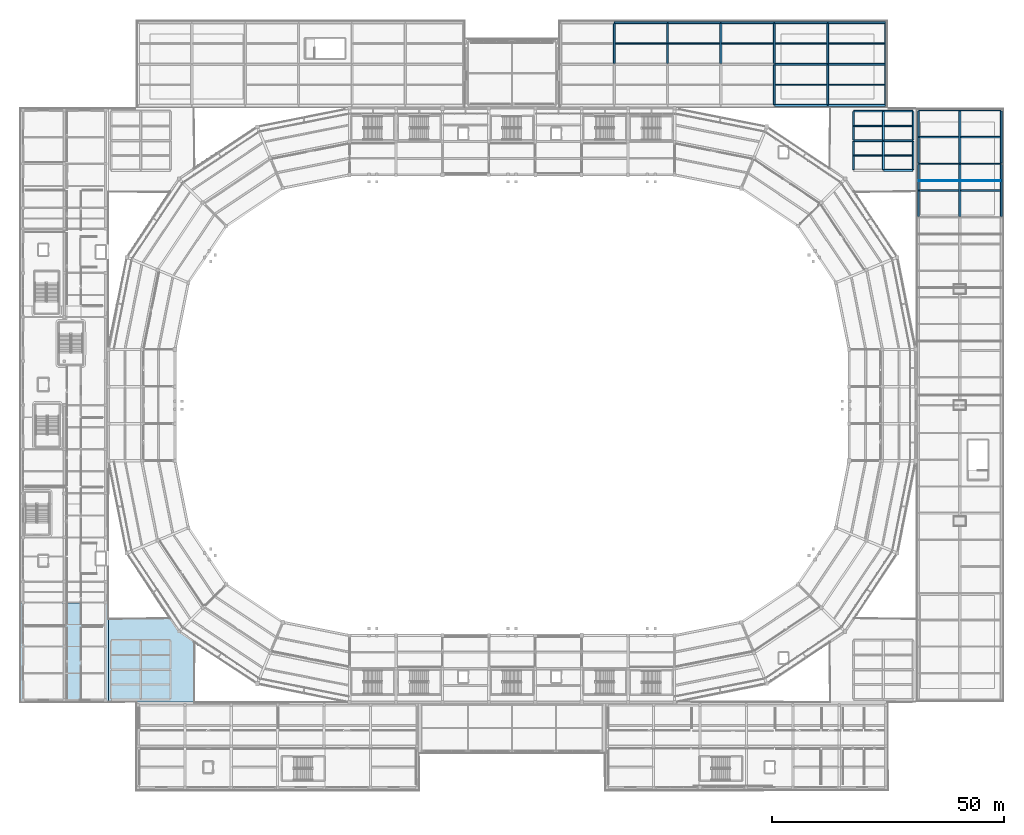
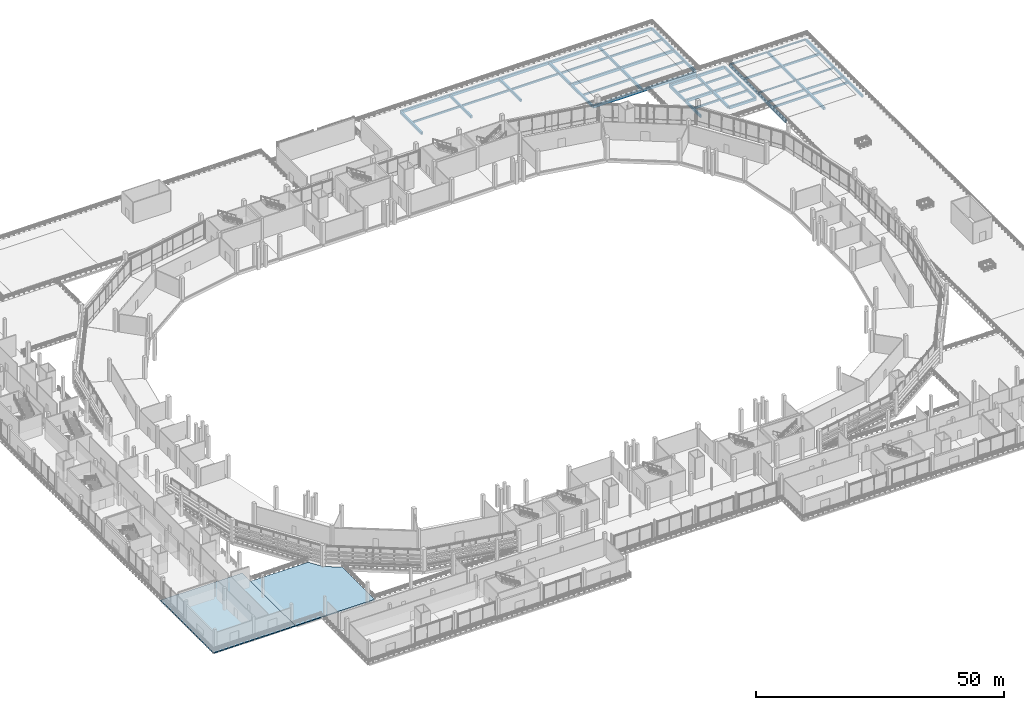
# One storey, part 58 of 111: 54 beams, 2 slabs, 1 member.
"""IFC4 building model written with IfcOpenShell, lengths in metres."""

from ifc_helpers import new_model, si_unit, direction, frame, origin, origin_2d, place, context, subcontext, project, spatial, polyline, rectangle, i_section, outline, extrude, material, layer, layer_set, material_profile, profile_set, type_object, element, save


model = new_model("IFC4")

# Units and contexts
model_context = context("Model", 3, precision=1e-05, world=origin(), true_north=direction((0.0, 1.0)))
body_context = subcontext(model_context, "Body", "Model", "MODEL_VIEW")
ifc_project = project(units=[si_unit("LENGTHUNIT", "METRE"), si_unit("AREAUNIT", "SQUARE_METRE"), si_unit("VOLUMEUNIT", "CUBIC_METRE"), si_unit("PLANEANGLEUNIT", "RADIAN"), si_unit("MASSUNIT", "GRAM", prefix="KILO")], contexts=[model_context])

# Site, building, storey
site_placement = place(None, origin())
site = spatial("IfcSite", under=ifc_project, at=site_placement, CompositionType="ELEMENT")
building_placement = place(site_placement, origin())
building = spatial("IfcBuilding", under=site, at=building_placement, Name="Candeia Ridge Stadium", CompositionType="ELEMENT")
storey_placement = place(building_placement, frame((0.0, 0.0, 16.199951171875)))
storey = spatial("IfcBuildingStorey", under=building, at=storey_placement, Name="L03", CompositionType="ELEMENT", Elevation=16.199951171875)

# Beams
ifc_material_1 = material(Name="Concrete C40/50", Category="concrete")
ifc_material_profile_1 = material_profile(ifc_material_1, rectangle(XDim=0.300048828125, YDim=0.449951171875, at=origin_2d()), Name="RC300x450", Category="concrete")
ifc_profile_set_1 = profile_set([ifc_material_profile_1], Name="Concrete C40/50")
beam_type_1 = type_object("IfcBeamType", Name="Floor Joist RC300x450", PredefinedType="JOIST", material=ifc_profile_set_1)
for number, where, z_axis, x_axis, name in (
    (1, (128.199462890625, 160.949951171875, -0.5048828125), (1.0, 0.0, 0.0), (0.0, 1.0, 0.0), "Wing secondary joist BM-L03-1916"),
    (2, (139.699462890625, 160.949951171875, -0.5048828125), (1.0, 0.0, 0.0), (0.0, 1.0, 0.0), "Wing secondary joist BM-L03-1921"),
    (3, (151.199462890625, 160.949951171875, -0.5048828125), (1.0, 0.0, 0.0), (0.0, 1.0, 0.0), "Wing secondary joist BM-L03-1926"),
    (4, (162.699462890625, 152.050048828125, -0.5048828125), (1.0, 0.0, 0.0), (0.0, 1.0, 0.0), "Wing secondary joist BM-L03-1929"),
    (5, (162.699462890625, 160.949951171875, -0.5048828125), (1.0, 0.0, 0.0), (0.0, 1.0, 0.0), "Wing secondary joist BM-L03-1931"),
):
    element("IfcBeam", number, at=place(storey_placement, frame(where, z_axis=z_axis, x_axis=x_axis)), inside=storey, type_object=beam_type_1, Name=name, PredefinedType="JOIST", context=body_context, shape_type="SweptSolid", body=[
        extrude(rectangle(XDim=0.300048828125, YDim=0.449951171875, at=origin_2d()), origin(), (0.0, 0.0, 1.0), 11.10107421875),
    ])
for number, where, z_axis, x_axis, name in (
    (6, (174.199462890625, 152.050048828125, -0.5048828125), (1.0, 0.0, 0.0), (0.0, 1.0, 0.0), "Wing secondary joist BM-L03-1934"),
    (7, (174.199462890625, 160.949951171875, -0.5048828125), (1.0, 0.0, 0.0), (0.0, 1.0, 0.0), "Wing secondary joist BM-L03-1936"),
):
    element("IfcBeam", number, at=place(storey_placement, frame(where, z_axis=z_axis, x_axis=x_axis)), inside=storey, type_object=beam_type_1, Name=name, PredefinedType="JOIST", context=body_context, shape_type="SweptSolid", body=[
        extrude(rectangle(XDim=0.300048828125, YDim=0.449951171875, at=origin_2d()), origin(), (0.0, 0.0, 1.0), 12.1259765625),
    ])
for number, where, z_axis, x_axis, name in (
    (8, (179.7744140625, 136.800048828125, -0.474853515625), (1.0, 0.0, 0.0), (0.0, 1.0, 0.0), "Wing secondary joist BM-L03-2439"),
    (9, (179.7744140625, 143.199951171875, -0.474853515625), (1.0, 0.0, 0.0), (0.0, 1.0, 0.0), "Wing secondary joist BM-L03-2441"),
    (10, (186.199462890625, 136.800048828125, -0.474853515625), (1.0, 0.0, 0.0), (0.0, 1.0, 0.0), "Wing secondary joist BM-L03-2444"),
    (11, (186.199462890625, 143.199951171875, -0.474853515625), (1.0, 0.0, 0.0), (0.0, 1.0, 0.0), "Wing secondary joist BM-L03-2446"),
):
    element("IfcBeam", number, at=place(storey_placement, frame(where, z_axis=z_axis, x_axis=x_axis)), inside=storey, type_object=beam_type_1, Name=name, PredefinedType="JOIST", context=body_context, shape_type="SweptSolid", body=[
        extrude(rectangle(XDim=0.300048828125, YDim=0.449951171875, at=origin_2d()), origin(), (0.0, 0.0, 1.0), 6.026123046875),
    ])
ifc_material_profile_2 = material_profile(ifc_material_1, rectangle(XDim=0.300048828125, YDim=0.5, at=origin_2d()), Name="RC300x500", Category="concrete")
ifc_profile_set_2 = profile_set([ifc_material_profile_2], Name="Concrete C40/50")
beam_type_2 = type_object("IfcBeamType", Name="Floor Joist RC300x500", PredefinedType="JOIST", material=ifc_profile_set_2)
for number, where, z_axis, x_axis, name in (
    (12, (193.7744140625, 129.25, -0.530029296875), (1.0, 0.0, 0.0), (0.0, 1.0, 0.0), "Wing secondary joist BM-L03-1826"),
    (13, (193.7744140625, 140.75, -0.530029296875), (1.0, 0.0, 0.0), (0.0, 1.0, 0.0), "Wing secondary joist BM-L03-1828"),
    (14, (202.699462890625, 129.25, -0.530029296875), (1.0, 0.0, 0.0), (0.0, 1.0, 0.0), "Wing secondary joist BM-L03-1848"),
    (15, (202.699462890625, 140.75, -0.530029296875), (1.0, 0.0, 0.0), (0.0, 1.0, 0.0), "Wing secondary joist BM-L03-1850"),
):
    element("IfcBeam", number, at=place(storey_placement, frame(where, z_axis=z_axis, x_axis=x_axis)), inside=storey, type_object=beam_type_2, Name=name, PredefinedType="JOIST", context=body_context, shape_type="SweptSolid", body=[
        extrude(rectangle(XDim=0.300048828125, YDim=0.5, at=origin_2d()), origin(), (0.0, 0.0, 1.0), 8.526123046875),
    ])
ifc_material_profile_3 = material_profile(ifc_material_1, rectangle(XDim=0.39990234375, YDim=0.60009765625, at=origin_2d()), Name="RC400x600", Category="concrete")
ifc_profile_set_3 = profile_set([ifc_material_profile_3], Name="Concrete C40/50")
beam_type_3 = type_object("IfcBeamType", Name="Frame Girder RC400x600", PredefinedType="BEAM", material=ifc_profile_set_3)
for number, where, z_axis, x_axis, name in (
    (16, (202.5, 123.659912109375, -0.579833984375), (0.0, 1.0, 0.0), (-1.0, 0.0, 0.0), "Structural girder BM-L03-1796"),
    (17, (202.5, 135.159912109375, -0.579833984375), (0.0, 1.0, 0.0), (-1.0, 0.0, 0.0), "Structural girder BM-L03-1797"),
):
    element("IfcBeam", number, at=place(storey_placement, frame(where, z_axis=z_axis, x_axis=x_axis)), inside=storey, type_object=beam_type_3, Name=name, PredefinedType="BEAM", context=body_context, shape_type="SweptSolid", body=[
        extrude(rectangle(XDim=0.39990234375, YDim=0.60009765625, at=origin_2d()), origin(), (0.0, 0.0, 1.0), 11.18017578125),
    ])
for number, where, z_axis, x_axis, name in (
    (18, (128.0, 156.659912109375, -0.579833984375), (0.0, 1.0, 0.0), (-1.0, 0.0, 0.0), "Structural girder BM-L03-1897"),
    (19, (139.5, 156.659912109375, -0.579833984375), (0.0, 1.0, 0.0), (-1.0, 0.0, 0.0), "Structural girder BM-L03-1899"),
    (20, (151.0, 156.659912109375, -0.579833984375), (0.0, 1.0, 0.0), (-1.0, 0.0, 0.0), "Structural girder BM-L03-1901"),
    (21, (162.5, 147.760009765625, -0.579833984375), (0.0, 1.0, 0.0), (-1.0, 0.0, 0.0), "Structural girder BM-L03-1902"),
    (22, (162.5, 156.659912109375, -0.579833984375), (0.0, 1.0, 0.0), (-1.0, 0.0, 0.0), "Structural girder BM-L03-1903"),
    (23, (174.0, 147.760009765625, -0.579833984375), (0.0, 1.0, 0.0), (-1.0, 0.0, 0.0), "Structural girder BM-L03-1904"),
    (24, (174.0, 156.659912109375, -0.579833984375), (0.0, 1.0, 0.0), (-1.0, 0.0, 0.0), "Structural girder BM-L03-1905"),
):
    element("IfcBeam", number, at=place(storey_placement, frame(where, z_axis=z_axis, x_axis=x_axis)), inside=storey, type_object=beam_type_3, Name=name, PredefinedType="BEAM", context=body_context, shape_type="SweptSolid", body=[
        extrude(rectangle(XDim=0.39990234375, YDim=0.60009765625, at=origin_2d()), origin(), (0.0, 0.0, 1.0), 8.580078125),
    ])
for number, where, z_axis, x_axis, name in (
    (25, (186.0, 133.760009765625, -0.550048828125), (0.0, 1.0, 0.0), (-1.0, 0.0, 0.0), "Structural girder BM-L03-2434"),
    (26, (186.0, 140.159912109375, -0.579833984375), (0.0, 1.0, 0.0), (-1.0, 0.0, 0.0), "Structural girder BM-L03-2435"),
):
    element("IfcBeam", number, at=place(storey_placement, frame(where, z_axis=z_axis, x_axis=x_axis)), inside=storey, type_object=beam_type_3, Name=name, PredefinedType="BEAM", context=body_context, shape_type="SweptSolid", body=[
        extrude(rectangle(XDim=0.39990234375, YDim=0.60009765625, at=origin_2d()), origin(), (0.0, 0.0, 1.0), 6.080078125),
    ])
ifc_material_profile_4 = material_profile(ifc_material_1, rectangle(XDim=0.35009765625, YDim=0.64990234375, at=origin_2d()), Name="RC350x650", Category="concrete")
ifc_profile_set_4 = profile_set([ifc_material_profile_4], Name="Concrete C40/50")
beam_type_4 = type_object("IfcBeamType", Name="Spandrel Beam RC350x650", PredefinedType="SPANDREL", material=ifc_profile_set_4)
for number, where, z_axis, x_axis, name in (
    (27, (193.60009765625, 123.659912109375, -0.60498046875), (0.0, 1.0, 0.0), (-1.0, 0.0, 0.0), "Structural girder BM-L03-1785"),
    (28, (193.60009765625, 135.159912109375, -0.60498046875), (0.0, 1.0, 0.0), (-1.0, 0.0, 0.0), "Structural girder BM-L03-1786"),
    (29, (211.39990234375, 123.659912109375, -0.60498046875), (0.0, 1.0, 0.0), (-1.0, 0.0, 0.0), "Structural girder BM-L03-1807"),
    (30, (211.39990234375, 135.159912109375, -0.60498046875), (0.0, 1.0, 0.0), (-1.0, 0.0, 0.0), "Structural girder BM-L03-1808"),
):
    element("IfcBeam", number, at=place(storey_placement, frame(where, z_axis=z_axis, x_axis=x_axis)), inside=storey, type_object=beam_type_4, Name=name, PredefinedType="SPANDREL", context=body_context, shape_type="SweptSolid", body=[
        extrude(rectangle(XDim=0.35009765625, YDim=0.64990234375, at=origin_2d()), origin(), (0.0, 0.0, 1.0), 11.18017578125),
    ])
for number, where, z_axis, x_axis, name in (
    (31, (186.5, 147.760009765625, -0.60498046875), (0.0, 1.0, 0.0), (-1.0, 0.0, 0.0), "Structural girder BM-L03-1906"),
    (32, (186.5, 156.659912109375, -0.60498046875), (0.0, 1.0, 0.0), (-1.0, 0.0, 0.0), "Structural girder BM-L03-1907"),
):
    element("IfcBeam", number, at=place(storey_placement, frame(where, z_axis=z_axis, x_axis=x_axis)), inside=storey, type_object=beam_type_4, Name=name, PredefinedType="SPANDREL", context=body_context, shape_type="SweptSolid", body=[
        extrude(rectangle(XDim=0.35009765625, YDim=0.64990234375, at=origin_2d()), origin(), (0.0, 0.0, 1.0), 8.580078125),
    ])
for number, where, z_axis, x_axis, name in (
    (33, (179.60009765625, 133.760009765625, -0.574951171875), (0.0, 1.0, 0.0), (-1.0, 0.0, 0.0), "Structural girder BM-L03-2432"),
    (34, (179.60009765625, 140.159912109375, -0.60498046875), (0.0, 1.0, 0.0), (-1.0, 0.0, 0.0), "Structural girder BM-L03-2433"),
    (35, (192.39990234375, 133.760009765625, -0.60498046875), (0.0, 1.0, 0.0), (-1.0, 0.0, 0.0), "Structural girder BM-L03-2436"),
    (36, (192.39990234375, 140.159912109375, -0.60498046875), (0.0, 1.0, 0.0), (-1.0, 0.0, 0.0), "Structural girder BM-L03-2437"),
):
    element("IfcBeam", number, at=place(storey_placement, frame(where, z_axis=z_axis, x_axis=x_axis)), inside=storey, type_object=beam_type_4, Name=name, PredefinedType="SPANDREL", context=body_context, shape_type="SweptSolid", body=[
        extrude(rectangle(XDim=0.35009765625, YDim=0.64990234375, at=origin_2d()), origin(), (0.0, 0.0, 1.0), 6.080078125),
    ])
ifc_material_2 = material(Name="Steel ASTM A572 Grade 50", Category="steel")
ifc_material_profile_5 = material_profile(ifc_material_2, i_section(OverallWidth=0.178955078125, OverallDepth=0.409912109375, WebThickness=0.0087890625, FlangeThickness=0.014404296875, FilletRadius=0.011962890625, at=origin_2d()), Name="W410x67", Category="steel")
ifc_profile_set_5 = profile_set([ifc_material_profile_5], Name="Steel ASTM A572 Grade 50")
beam_type_5 = type_object("IfcBeamType", Name="Warm-Up Hall Girder W410x67", PredefinedType="BEAM", material=ifc_profile_set_5)
for number, where, z_axis, x_axis, name in (
    (37, (193.64990234375, 135.0, -0.48486328125), (1.0, 0.0, 0.0), (0.0, 1.0, 0.0), "Structural girder BM-L03-1827"),
    (38, (193.64990234375, 146.5, -0.48486328125), (1.0, 0.0, 0.0), (0.0, 1.0, 0.0), "Structural girder BM-L03-1829"),
    (39, (202.550048828125, 135.0, -0.48486328125), (1.0, 0.0, 0.0), (0.0, 1.0, 0.0), "Structural girder BM-L03-1849"),
    (40, (202.550048828125, 146.5, -0.48486328125), (1.0, 0.0, 0.0), (0.0, 1.0, 0.0), "Structural girder BM-L03-1851"),
):
    element("IfcBeam", number, at=place(storey_placement, frame(where, z_axis=z_axis, x_axis=x_axis)), inside=storey, type_object=beam_type_5, Name=name, PredefinedType="BEAM", context=body_context, shape_type="SweptSolid", body=[
        extrude(i_section(OverallWidth=0.178955078125, OverallDepth=0.409912109375, WebThickness=0.0087890625, FlangeThickness=0.014404296875, FilletRadius=0.011962890625, at=origin_2d()), origin(), (0.0, 0.0, 1.0), 8.800048828125),
    ])

# Member
ifc_material_3 = material(Name="Glulam GL28h", Category="wood")
ifc_material_profile_6 = material_profile(ifc_material_3, rectangle(XDim=0.199951171875, YDim=0.52001953125, at=origin_2d()), Name="GL200x520", Category="wood")
ifc_profile_set_6 = profile_set([ifc_material_profile_6], Name="Glulam GL28h")
member_type = type_object("IfcMemberType", Name="Warm-Up Hall Glulam Rafter GL200x520", PredefinedType="RAFTER", material=ifc_profile_set_6)
member_placement = place(storey_placement, frame((193.64990234375, 131.320068359375, -0.5400390625), z_axis=(1.0, 0.0, 0.0), x_axis=(0.0, 1.0, 0.0)))
element("IfcMember", 41, at=member_placement, inside=storey, type_object=member_type, Name="Warm-up hall glulam roof rafter RAF-WU-11", PredefinedType="RAFTER", context=body_context, shape_type="SweptSolid", body=[
    extrude(rectangle(XDim=0.199951171875, YDim=0.52001953125, at=origin_2d()), origin(), (0.0, 0.0, 1.0), 17.7001953125),
])

# Beams
ifc_material_profile_7 = material_profile(ifc_material_1, rectangle(XDim=0.39990234375, YDim=0.64990234375, at=origin_2d()), Name="RC400x650", Category="concrete")
ifc_profile_set_7 = profile_set([ifc_material_profile_7], Name="Concrete C40/50")
beam_type_6 = type_object("IfcBeamType", Name="Wing Primary Girder RC400x650", PredefinedType="BEAM", material=ifc_profile_set_7)
for number, where, z_axis, x_axis, name in (
    (42, (128.050048828125, 165.39990234375, -0.60498046875), (1.0, 0.0, 0.0), (0.0, 1.0, 0.0), "Structural girder BM-L03-1917"),
    (43, (139.550048828125, 165.39990234375, -0.60498046875), (1.0, 0.0, 0.0), (0.0, 1.0, 0.0), "Structural girder BM-L03-1922"),
    (44, (151.050048828125, 165.39990234375, -0.60498046875), (1.0, 0.0, 0.0), (0.0, 1.0, 0.0), "Structural girder BM-L03-1927"),
    (45, (162.550048828125, 147.60009765625, -0.60498046875), (1.0, 0.0, 0.0), (0.0, 1.0, 0.0), "Structural girder BM-L03-1928"),
    (46, (162.550048828125, 156.5, -0.60498046875), (1.0, 0.0, 0.0), (0.0, 1.0, 0.0), "Structural girder BM-L03-1930"),
    (47, (162.550048828125, 165.39990234375, -0.60498046875), (1.0, 0.0, 0.0), (0.0, 1.0, 0.0), "Structural girder BM-L03-1932"),
):
    element("IfcBeam", number, at=place(storey_placement, frame(where, z_axis=z_axis, x_axis=x_axis)), inside=storey, type_object=beam_type_6, Name=name, PredefinedType="BEAM", context=body_context, shape_type="SweptSolid", body=[
        extrude(rectangle(XDim=0.39990234375, YDim=0.64990234375, at=origin_2d()), origin(), (0.0, 0.0, 1.0), 11.39990234375),
    ])
for number, where, z_axis, x_axis, name in (
    (48, (174.050048828125, 147.60009765625, -0.60498046875), (1.0, 0.0, 0.0), (0.0, 1.0, 0.0), "Structural girder BM-L03-1933"),
    (49, (174.050048828125, 156.5, -0.60498046875), (1.0, 0.0, 0.0), (0.0, 1.0, 0.0), "Structural girder BM-L03-1935"),
    (50, (174.050048828125, 165.39990234375, -0.60498046875), (1.0, 0.0, 0.0), (0.0, 1.0, 0.0), "Structural girder BM-L03-1937"),
):
    element("IfcBeam", number, at=place(storey_placement, frame(where, z_axis=z_axis, x_axis=x_axis)), inside=storey, type_object=beam_type_6, Name=name, PredefinedType="BEAM", context=body_context, shape_type="SweptSolid", body=[
        extrude(rectangle(XDim=0.39990234375, YDim=0.64990234375, at=origin_2d()), origin(), (0.0, 0.0, 1.0), 12.39990234375),
    ])
for number, where, z_axis, x_axis, name in (
    (51, (179.64990234375, 140.0, -0.574951171875), (1.0, 0.0, 0.0), (0.0, 1.0, 0.0), "Structural girder BM-L03-2440"),
    (52, (179.64990234375, 146.39990234375, -0.60498046875), (1.0, 0.0, 0.0), (0.0, 1.0, 0.0), "Structural girder BM-L03-2442"),
    (53, (186.050048828125, 133.60009765625, -0.60498046875), (1.0, 0.0, 0.0), (0.0, 1.0, 0.0), "Structural girder BM-L03-2443"),
    (54, (186.050048828125, 140.0, -0.60498046875), (1.0, 0.0, 0.0), (0.0, 1.0, 0.0), "Structural girder BM-L03-2445"),
    (55, (186.050048828125, 146.39990234375, -0.60498046875), (1.0, 0.0, 0.0), (0.0, 1.0, 0.0), "Structural girder BM-L03-2447"),
):
    element("IfcBeam", number, at=place(storey_placement, frame(where, z_axis=z_axis, x_axis=x_axis)), inside=storey, type_object=beam_type_6, Name=name, PredefinedType="BEAM", context=body_context, shape_type="SweptSolid", body=[
        extrude(rectangle(XDim=0.39990234375, YDim=0.64990234375, at=origin_2d()), origin(), (0.0, 0.0, 1.0), 6.300048828125),
    ])

# Slabs
ifc_layer = layer(ifc_material_1, 0.25, Name="Concrete C40/50", Category="concrete")
ifc_layer_set = layer_set([ifc_layer], Name="Concrete C40/50")
slab_type = type_object("IfcSlabType", Name="Hospitality & Museum Slab 250", PredefinedType="FLOOR", material=ifc_layer_set)
slab_1_placement = place(storey_placement, frame((0.0, 0.0, -0.25)))
element("IfcSlab", 56, at=slab_1_placement, inside=storey, type_object=slab_type, Name="Wing floor slab west SLB-L03-0276", PredefinedType="FLOOR", context=body_context, shape_type="SweptSolid", body=[
    extrude(outline(polyline([(0.0, 19.0), (0.0, 40.333251953125), (19.0, 40.333251953125), (19.0, 19.0), (0.0, 19.0)])), origin(), (0.0, 0.0, 1.0), 0.25),
])
slab_2_placement = place(storey_placement, frame((0.0, 0.0, -0.25)))
element("IfcSlab", 57, at=slab_2_placement, inside=storey, type_object=slab_type, Name="Wing floor slab sp_sw SLB-L03-0295", PredefinedType="FLOOR", context=body_context, shape_type="SweptSolid", body=[
    extrude(outline(polyline([(19.0, 19.0), (19.0, 37.0), (32.373779296875, 37.0), (34.226318359375, 34.227783203125), (34.2265625, 34.227294921875), (34.226806640625, 34.226806640625), (34.227294921875, 34.2265625), (34.227783203125, 34.226318359375), (37.5, 32.039794921875), (37.5, 19.0), (19.0, 19.0)])), origin(), (0.0, 0.0, 1.0), 0.25),
])

save(model, "model.ifc")
